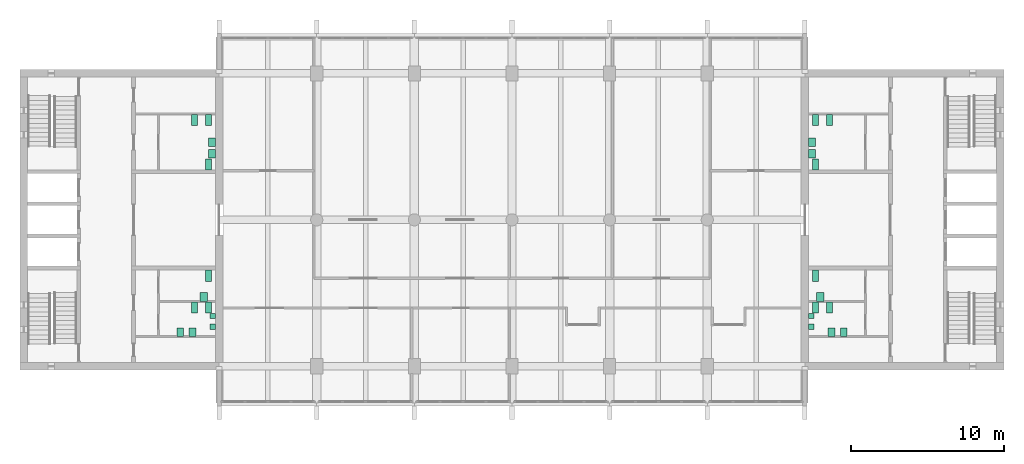
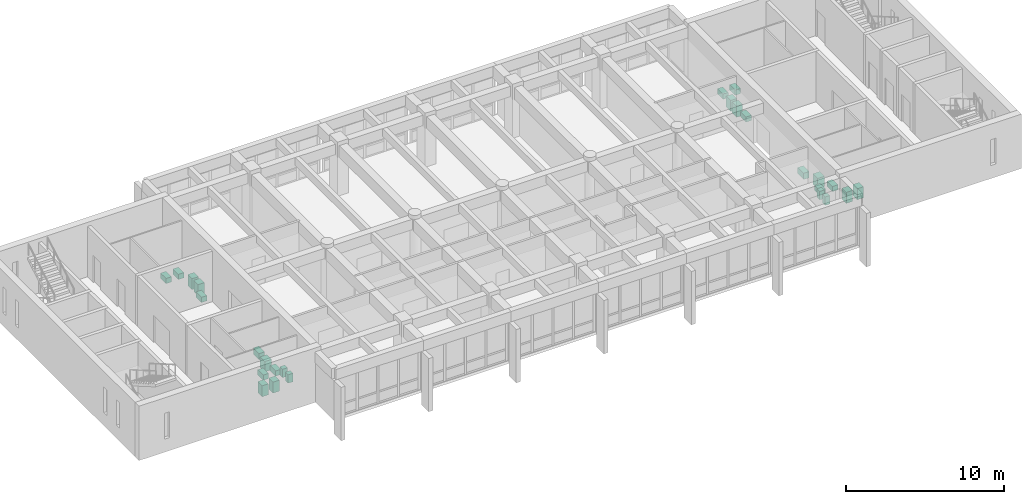
# One storey, part 15 of 15: 26 sanitary terminals.
"""IFC4 building model written with IfcOpenShell, lengths in metres."""

from ifc_helpers import new_model, si_unit, direction, frame, origin, origin_2d, place, context, subcontext, project, spatial, rectangle, extrude, material, type_object, element, save


model = new_model("IFC4")

# Units and contexts
model_context = context("Model", 3, precision=1e-05, world=origin(), true_north=direction((0.0, 1.0)))
body_context = subcontext(model_context, "Body", "Model", "MODEL_VIEW")
ifc_project = project(units=[si_unit("LENGTHUNIT", "METRE"), si_unit("AREAUNIT", "SQUARE_METRE"), si_unit("VOLUMEUNIT", "CUBIC_METRE"), si_unit("PLANEANGLEUNIT", "RADIAN"), si_unit("MASSUNIT", "GRAM", prefix="KILO")], contexts=[model_context])

# Site, building, storey
site_placement = place(None, origin())
site = spatial("IfcSite", under=ifc_project, at=site_placement, CompositionType="ELEMENT")
building_placement = place(site_placement, origin())
building = spatial("IfcBuilding", under=site, at=building_placement, Name="Fogon Plaza Fire Station and Headquarters Tower", CompositionType="ELEMENT")
storey_placement = place(building_placement, frame((0.0, 0.0, 60.0)))
storey = spatial("IfcBuildingStorey", under=building, at=storey_placement, Name="L15", CompositionType="ELEMENT", Elevation=60.0)

# Sanitary terminals
ifc_material_1 = material(Name="Vitreous china")
sanitary_terminal_type_1 = type_object("IfcSanitaryTerminalType", Name="Accessible Hand Basin 600x500", PredefinedType="WASHHANDBASIN", material=ifc_material_1)
for number, where, z_axis, x_axis, name in (
    (1, (24.60009765625, 38.14990234375, 0.0), (0.0, 0.0, 1.0), (1.0, 0.0, 0.0), "Accessible Hand Basin"),
    (2, (65.0, 38.14990234375, 0.0), (0.0, 0.0, 1.0), (1.0, 0.0, 0.0), "Accessible Hand Basin"),
):
    element("IfcSanitaryTerminal", number, at=place(storey_placement, frame(where, z_axis=z_axis, x_axis=x_axis)), inside=storey, type_object=sanitary_terminal_type_1, Name=name, PredefinedType="WASHHANDBASIN", context=body_context, shape_type="SweptSolid", body=[
        extrude(rectangle(XDim=0.5, YDim=0.60009765625, at=origin_2d()), origin(), (0.0, 0.0, 1.0), 0.800048828125),
    ])
ifc_material_2 = material(Name="Vitreous china")
sanitary_terminal_type_2 = type_object("IfcSanitaryTerminalType", Name="Accessible WC Pan 400x750", PredefinedType="TOILETPAN", material=ifc_material_2)
for number, where, z_axis, x_axis, name in (
    (3, (24.89990234375, 39.550048828125, 0.0), (0.0, 0.0, 1.0), (1.0, 0.0, 0.0), "Accessible WC Pan"),
    (4, (64.699951171875, 39.550048828125, 0.0), (0.0, 0.0, 1.0), (1.0, 0.0, 0.0), "Accessible WC Pan"),
):
    element("IfcSanitaryTerminal", number, at=place(storey_placement, frame(where, z_axis=z_axis, x_axis=x_axis)), inside=storey, type_object=sanitary_terminal_type_2, Name=name, PredefinedType="TOILETPAN", context=body_context, shape_type="SweptSolid", body=[
        extrude(rectangle(XDim=0.39990234375, YDim=0.75, at=origin_2d()), origin(), (0.0, 0.0, 1.0), 0.47998046875),
    ])
ifc_material_3 = material(Name="Vitreous china")
sanitary_terminal_type_3 = type_object("IfcSanitaryTerminalType", Name="Hand Basin 550x450", PredefinedType="WASHHANDBASIN", material=ifc_material_3)
for number, where, z_axis, x_axis, name in (
    (5, (23.85009765625, 35.824951171875, 0.0), (0.0, 0.0, 1.0), (1.0, 0.0, 0.0), "Hand Basin"),
    (6, (23.050048828125, 35.824951171875, 0.0), (0.0, 0.0, 1.0), (1.0, 0.0, 0.0), "Hand Basin"),
    (7, (25.125, 47.52490234375, 0.0), (0.0, 0.0, 1.0), (1.0, 0.0, 0.0), "Hand Basin"),
    (8, (25.125, 48.27490234375, 0.0), (0.0, 0.0, 1.0), (1.0, 0.0, 0.0), "Hand Basin"),
    (9, (65.75, 35.824951171875, 0.0), (0.0, 0.0, 1.0), (1.0, 0.0, 0.0), "Hand Basin"),
    (10, (66.550048828125, 35.824951171875, 0.0), (0.0, 0.0, 1.0), (1.0, 0.0, 0.0), "Hand Basin"),
    (11, (64.47509765625, 47.52490234375, 0.0), (0.0, 0.0, 1.0), (1.0, 0.0, 0.0), "Hand Basin"),
    (12, (64.47509765625, 48.27490234375, 0.0), (0.0, 0.0, 1.0), (1.0, 0.0, 0.0), "Hand Basin"),
):
    element("IfcSanitaryTerminal", number, at=place(storey_placement, frame(where, z_axis=z_axis, x_axis=x_axis)), inside=storey, type_object=sanitary_terminal_type_3, Name=name, PredefinedType="WASHHANDBASIN", context=body_context, shape_type="SweptSolid", body=[
        extrude(rectangle(XDim=0.449951171875, YDim=0.550048828125, at=origin_2d()), origin(), (0.0, 0.0, 1.0), 0.85009765625),
    ])
ifc_material_4 = material(Name="Vitreous china")
sanitary_terminal_type_4 = type_object("IfcSanitaryTerminalType", Name="Urinal 350x350", PredefinedType="URINAL", material=ifc_material_4)
for number, where, z_axis, x_axis, name in (
    (13, (25.175048828125, 36.199951171875, 0.0), (0.0, 0.0, 1.0), (1.0, 0.0, 0.0), "Urinal"),
    (14, (25.175048828125, 36.89990234375, 0.0), (0.0, 0.0, 1.0), (1.0, 0.0, 0.0), "Urinal"),
    (15, (64.425048828125, 36.199951171875, 0.0), (0.0, 0.0, 1.0), (1.0, 0.0, 0.0), "Urinal"),
    (16, (64.425048828125, 36.89990234375, 0.0), (0.0, 0.0, 1.0), (1.0, 0.0, 0.0), "Urinal"),
):
    element("IfcSanitaryTerminal", number, at=place(storey_placement, frame(where, z_axis=z_axis, x_axis=x_axis)), inside=storey, type_object=sanitary_terminal_type_4, Name=name, PredefinedType="URINAL", context=body_context, shape_type="SweptSolid", body=[
        extrude(rectangle(XDim=0.35009765625, YDim=0.35009765625, at=origin_2d()), origin(), (0.0, 0.0, 1.0), 0.64990234375),
    ])
ifc_material_5 = material(Name="Vitreous china")
sanitary_terminal_type_5 = type_object("IfcSanitaryTerminalType", Name="WC Pan 400x700", PredefinedType="TOILETPAN", material=ifc_material_5)
for number, where, z_axis, x_axis, name in (
    (17, (24.89990234375, 37.449951171875, 0.0), (0.0, 0.0, 1.0), (1.0, 0.0, 0.0), "WC Pan"),
    (18, (24.0, 37.449951171875, 0.0), (0.0, 0.0, 1.0), (1.0, 0.0, 0.0), "WC Pan"),
    (19, (24.89990234375, 49.75, 0.0), (0.0, 0.0, 1.0), (1.0, 0.0, 0.0), "WC Pan"),
    (20, (24.0, 49.75, 0.0), (0.0, 0.0, 1.0), (1.0, 0.0, 0.0), "WC Pan"),
    (21, (24.89990234375, 46.824951171875, 0.0), (0.0, 0.0, 1.0), (1.0, 0.0, 0.0), "WC Pan"),
    (22, (64.699951171875, 37.449951171875, 0.0), (0.0, 0.0, 1.0), (1.0, 0.0, 0.0), "WC Pan"),
    (23, (65.60009765625, 37.449951171875, 0.0), (0.0, 0.0, 1.0), (1.0, 0.0, 0.0), "WC Pan"),
    (24, (64.699951171875, 49.75, 0.0), (0.0, 0.0, 1.0), (1.0, 0.0, 0.0), "WC Pan"),
    (25, (65.60009765625, 49.75, 0.0), (0.0, 0.0, 1.0), (1.0, 0.0, 0.0), "WC Pan"),
    (26, (64.699951171875, 46.824951171875, 0.0), (0.0, 0.0, 1.0), (1.0, 0.0, 0.0), "WC Pan"),
):
    element("IfcSanitaryTerminal", number, at=place(storey_placement, frame(where, z_axis=z_axis, x_axis=x_axis)), inside=storey, type_object=sanitary_terminal_type_5, Name=name, PredefinedType="TOILETPAN", context=body_context, shape_type="SweptSolid", body=[
        extrude(rectangle(XDim=0.39990234375, YDim=0.699951171875, at=origin_2d()), origin(), (0.0, 0.0, 1.0), 0.39990234375),
    ])

save(model, "model.ifc")
